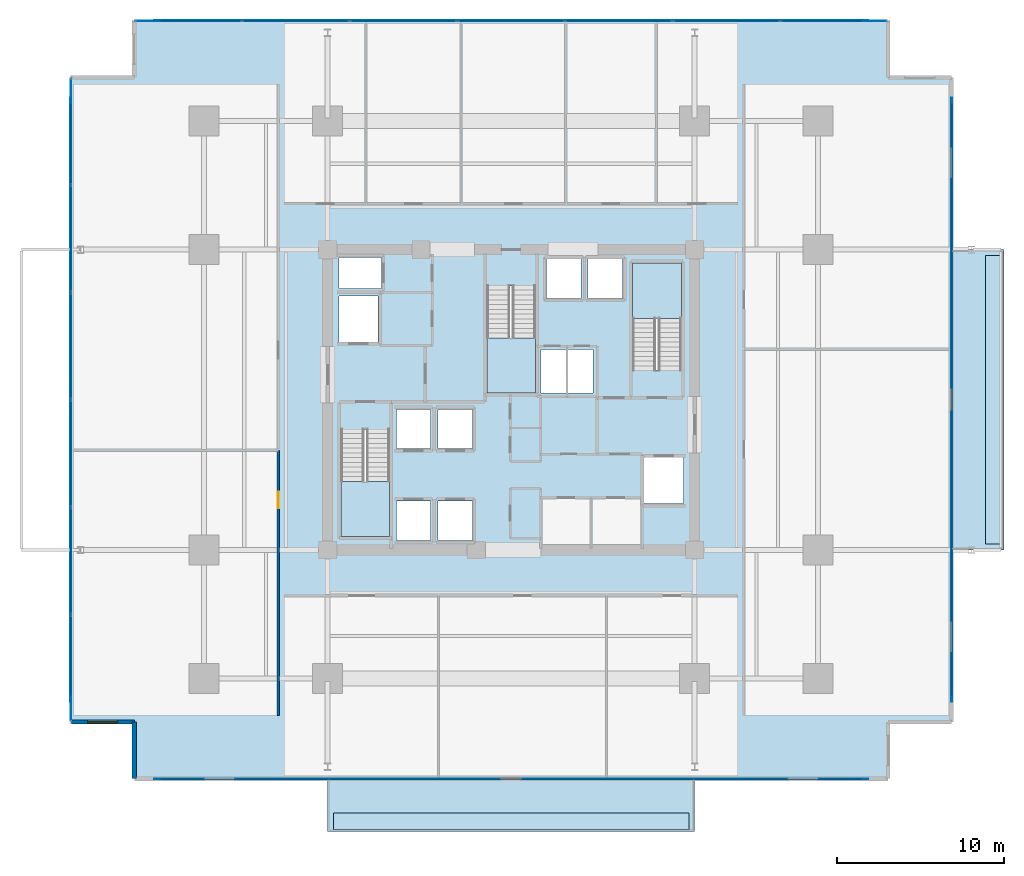
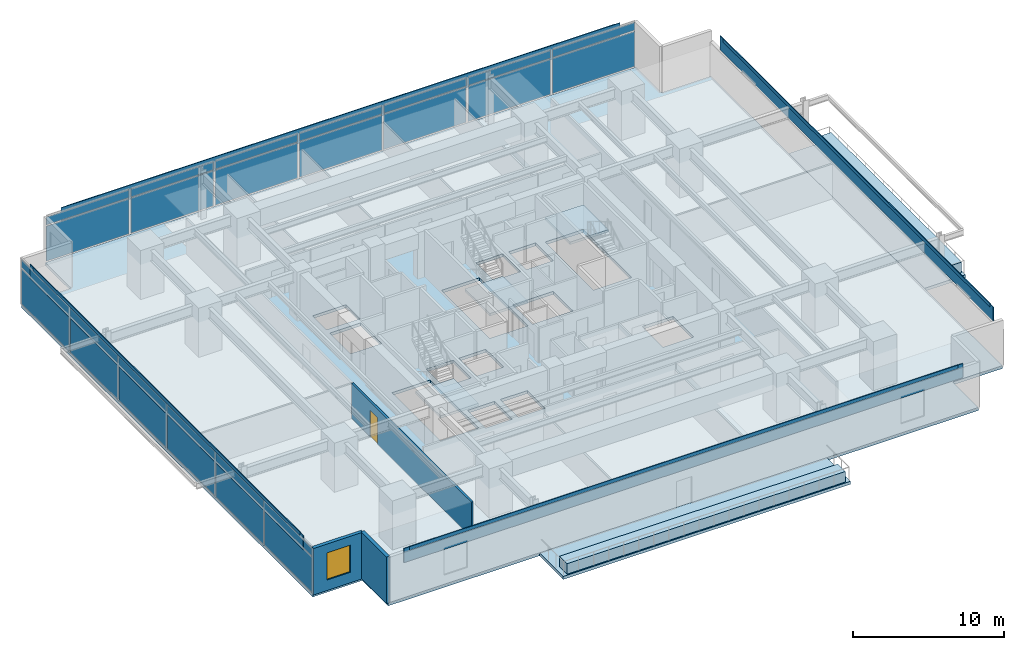
# One storey, part 15 of 24: 34 plates, 8 slabs, 3 walls, 1 door, 1 window, 2 openings, 5 elements without a shape of their own.
"""IFC4 building model written with IfcOpenShell, lengths in metres."""

from ifc_helpers import new_model, si_unit, direction, frame, frame_2d, origin, origin_2d, place, context, subcontext, project, spatial, polyline, rectangle, outline, extrude, material, layer, layer_set, type_object, element, fill, aggregate, save


model = new_model("IFC4")

# Units and contexts
model_context = context("Model", 3, precision=1e-05, world=origin(), true_north=direction((0.0, 1.0)))
body_context = subcontext(model_context, "Body", "Model", "MODEL_VIEW")
ifc_project = project(units=[si_unit("LENGTHUNIT", "METRE"), si_unit("AREAUNIT", "SQUARE_METRE"), si_unit("VOLUMEUNIT", "CUBIC_METRE"), si_unit("PLANEANGLEUNIT", "RADIAN"), si_unit("MASSUNIT", "GRAM", prefix="KILO")], contexts=[model_context])

# Site, building, storey
site_placement = place(None, origin())
site = spatial("IfcSite", under=ifc_project, at=site_placement, CompositionType="ELEMENT")
building_placement = place(site_placement, origin())
building = spatial("IfcBuilding", under=site, at=building_placement, Name="Kovane Verandah Tower", CompositionType="ELEMENT")
storey_placement = place(building_placement, frame((0.0, 0.0, 95.60009765625)))
storey = spatial("IfcBuildingStorey", under=building, at=storey_placement, Name="L22", CompositionType="ELEMENT", Elevation=95.60009765625)

# Curtain wall, plates
ifc_material_1 = material(Name="Champagne Anodised Aluminium Frame with Low-E Clear Laminated Glass", Category="aluminium")
curtain_wall_type = type_object("IfcCurtainWallType", Name="CW-SYS-02-LOW", PredefinedType="NOTDEFINED", material=ifc_material_1)
curtain_wall_1_placement = place(storey_placement, origin())
curtain_wall_1 = element("IfcCurtainWall", 1, at=curtain_wall_1_placement, inside=storey, type_object=curtain_wall_type, Name="L22 N Unitised Curtain Wall", PredefinedType="NOTDEFINED")
ifc_material_2 = material(Name="Pale Champagne Anodised Aluminium Insulated Spandrel", Category="aluminium")
ifc_layer_1 = layer(ifc_material_2, 0.0400390625)
ifc_layer_set_1 = layer_set([ifc_layer_1], Name="Pale Champagne Anodised Aluminium Insulated Spandrel")
plate_type_1 = type_object("IfcPlateType", Name="PL-CW-SPD-40", PredefinedType="SHEET", material=ifc_layer_set_1)
plate_1_placement = place(storey_placement, frame((59.3603515625, 50.2109375, 3.02978515625), z_axis=(0.0, 0.0, 1.0), x_axis=(-1.0, 0.0, 0.0)))
plate_1 = element("IfcPlate", 2, at=plate_1_placement, type_object=plate_type_1, Name="L22 N Unitised Curtain Wall Spandrel Panel 1", PredefinedType="SHEET", context=body_context, shape_type="SweptSolid", body=[
    extrude(rectangle(XDim=6.3134765625, YDim=0.0400390625, at=origin_2d()), origin(), (0.0, 0.0, 1.0), 0.639892578125),
])
plate_2_placement = place(storey_placement, frame((52.906982421875, 50.2109375, 3.02978515625), z_axis=(0.0, 0.0, 1.0), x_axis=(-1.0, 0.0, 0.0)))
plate_2 = element("IfcPlate", 3, at=plate_2_placement, type_object=plate_type_1, Name="L22 N Unitised Curtain Wall Spandrel Panel 2", PredefinedType="SHEET", context=body_context, shape_type="SweptSolid", body=[
    extrude(rectangle(XDim=6.3134765625, YDim=0.0400390625, at=origin_2d()), origin(), (0.0, 0.0, 1.0), 0.639892578125),
])
plate_3_placement = place(storey_placement, frame((46.453369140625, 50.2109375, 3.02978515625), z_axis=(0.0, 0.0, 1.0), x_axis=(-1.0, 0.0, 0.0)))
plate_3 = element("IfcPlate", 4, at=plate_3_placement, type_object=plate_type_1, Name="L22 N Unitised Curtain Wall Spandrel Panel 3", PredefinedType="SHEET", context=body_context, shape_type="SweptSolid", body=[
    extrude(rectangle(XDim=6.3134765625, YDim=0.0400390625, at=origin_2d()), origin(), (0.0, 0.0, 1.0), 0.639892578125),
])
plate_4_placement = place(storey_placement, frame((40.0, 50.2109375, 3.02978515625), z_axis=(0.0, 0.0, 1.0), x_axis=(-1.0, 0.0, 0.0)))
plate_4 = element("IfcPlate", 5, at=plate_4_placement, type_object=plate_type_1, Name="L22 N Unitised Curtain Wall Spandrel Panel 4", PredefinedType="SHEET", context=body_context, shape_type="SweptSolid", body=[
    extrude(rectangle(XDim=6.3134765625, YDim=0.0400390625, at=origin_2d()), origin(), (0.0, 0.0, 1.0), 0.639892578125),
])
plate_5_placement = place(storey_placement, frame((33.546630859375, 50.2109375, 3.02978515625), z_axis=(0.0, 0.0, 1.0), x_axis=(-1.0, 0.0, 0.0)))
plate_5 = element("IfcPlate", 6, at=plate_5_placement, type_object=plate_type_1, Name="L22 N Unitised Curtain Wall Spandrel Panel 5", PredefinedType="SHEET", context=body_context, shape_type="SweptSolid", body=[
    extrude(rectangle(XDim=6.3134765625, YDim=0.0400390625, at=origin_2d()), origin(), (0.0, 0.0, 1.0), 0.639892578125),
])
plate_6_placement = place(storey_placement, frame((27.093017578125, 50.2109375, 3.02978515625), z_axis=(0.0, 0.0, 1.0), x_axis=(-1.0, 0.0, 0.0)))
plate_6 = element("IfcPlate", 7, at=plate_6_placement, type_object=plate_type_1, Name="L22 N Unitised Curtain Wall Spandrel Panel 6", PredefinedType="SHEET", context=body_context, shape_type="SweptSolid", body=[
    extrude(rectangle(XDim=6.3134765625, YDim=0.0400390625, at=origin_2d()), origin(), (0.0, 0.0, 1.0), 0.639892578125),
])
plate_7_placement = place(storey_placement, frame((20.6396484375, 50.2109375, 3.02978515625), z_axis=(0.0, 0.0, 1.0), x_axis=(-1.0, 0.0, 0.0)))
plate_7 = element("IfcPlate", 8, at=plate_7_placement, type_object=plate_type_1, Name="L22 N Unitised Curtain Wall Spandrel Panel 7", PredefinedType="SHEET", context=body_context, shape_type="SweptSolid", body=[
    extrude(rectangle(XDim=6.3134765625, YDim=0.0400390625, at=origin_2d()), origin(), (0.0, 0.0, 1.0), 0.639892578125),
])

curtain_wall_2_placement = place(storey_placement, origin())
curtain_wall_2 = element("IfcCurtainWall", 9, at=curtain_wall_2_placement, inside=storey, type_object=curtain_wall_type, Name="L22 W Unitised Curtain Wall", PredefinedType="NOTDEFINED")
plate_8_placement = place(storey_placement, frame((13.613037109375, 43.59228515625, 3.02978515625), z_axis=(0.0, 0.0, 1.0), x_axis=(0.0, -1.0, 0.0)))
plate_8 = element("IfcPlate", 10, at=plate_8_placement, type_object=plate_type_1, Name="L22 W Unitised Curtain Wall Spandrel Panel 1", PredefinedType="SHEET", context=body_context, shape_type="SweptSolid", body=[
    extrude(rectangle(XDim=6.297119140625, YDim=0.0400390625, at=origin_2d()), origin(), (0.0, 0.0, 1.0), 0.639892578125),
])
plate_9_placement = place(storey_placement, frame((13.613037109375, 37.155517578125, 3.02978515625), z_axis=(0.0, 0.0, 1.0), x_axis=(0.0, -1.0, 0.0)))
plate_9 = element("IfcPlate", 11, at=plate_9_placement, type_object=plate_type_1, Name="L22 W Unitised Curtain Wall Spandrel Panel 2", PredefinedType="SHEET", context=body_context, shape_type="SweptSolid", body=[
    extrude(rectangle(XDim=6.297119140625, YDim=0.0400390625, at=origin_2d()), origin(), (0.0, 0.0, 1.0), 0.639892578125),
])
plate_10_placement = place(storey_placement, frame((13.613037109375, 30.718505859375, 3.02978515625), z_axis=(0.0, 0.0, 1.0), x_axis=(0.0, -1.0, 0.0)))
plate_10 = element("IfcPlate", 12, at=plate_10_placement, type_object=plate_type_1, Name="L22 W Unitised Curtain Wall Spandrel Panel 3", PredefinedType="SHEET", context=body_context, shape_type="SweptSolid", body=[
    extrude(rectangle(XDim=6.297119140625, YDim=0.0400390625, at=origin_2d()), origin(), (0.0, 0.0, 1.0), 0.639892578125),
])
plate_11_placement = place(storey_placement, frame((13.613037109375, 24.281494140625, 3.02978515625), z_axis=(0.0, 0.0, 1.0), x_axis=(0.0, -1.0, 0.0)))
plate_11 = element("IfcPlate", 13, at=plate_11_placement, type_object=plate_type_1, Name="L22 W Unitised Curtain Wall Spandrel Panel 4", PredefinedType="SHEET", context=body_context, shape_type="SweptSolid", body=[
    extrude(rectangle(XDim=6.297119140625, YDim=0.0400390625, at=origin_2d()), origin(), (0.0, 0.0, 1.0), 0.639892578125),
])
plate_12_placement = place(storey_placement, frame((13.613037109375, 17.844482421875, 3.02978515625), z_axis=(0.0, 0.0, 1.0), x_axis=(0.0, -1.0, 0.0)))
plate_12 = element("IfcPlate", 14, at=plate_12_placement, type_object=plate_type_1, Name="L22 W Unitised Curtain Wall Spandrel Panel 5", PredefinedType="SHEET", context=body_context, shape_type="SweptSolid", body=[
    extrude(rectangle(XDim=6.297119140625, YDim=0.0400390625, at=origin_2d()), origin(), (0.0, 0.0, 1.0), 0.639892578125),
])
plate_13_placement = place(storey_placement, frame((13.613037109375, 11.40771484375, 3.02978515625), z_axis=(0.0, 0.0, 1.0), x_axis=(0.0, -1.0, 0.0)))
plate_13 = element("IfcPlate", 15, at=plate_13_placement, type_object=plate_type_1, Name="L22 W Unitised Curtain Wall Spandrel Panel 6", PredefinedType="SHEET", context=body_context, shape_type="SweptSolid", body=[
    extrude(rectangle(XDim=6.297119140625, YDim=0.0400390625, at=origin_2d()), origin(), (0.0, 0.0, 1.0), 0.639892578125),
])

# Plate
ifc_material_3 = material(Name="Clear Low-E Laminated Double Glazing", Category="glass")
ifc_layer_2 = layer(ifc_material_3, 0.031982421875)
ifc_layer_set_2 = layer_set([ifc_layer_2], Name="Clear Low-E Laminated Double Glazing")
plate_type_2 = type_object("IfcPlateType", Name="PL-CW-VIS-32", PredefinedType="CURTAIN_PANEL", material=ifc_layer_set_2)
plate_14_placement = place(storey_placement, frame((59.3603515625, 50.2109375, 0.099853515625), z_axis=(0.0, 0.0, 1.0), x_axis=(-1.0, 0.0, 0.0)))
plate_14 = element("IfcPlate", 16, at=plate_14_placement, type_object=plate_type_2, Name="L22 N Unitised Curtain Wall Vision Panel 1", PredefinedType="CURTAIN_PANEL", context=body_context, shape_type="SweptSolid", body=[
    extrude(rectangle(XDim=6.3134765625, YDim=0.031982421875, at=origin_2d()), origin(), (0.0, 0.0, 1.0), 2.830078125),
])

plate_15_placement = place(storey_placement, frame((52.906982421875, 50.2109375, 0.099853515625), z_axis=(0.0, 0.0, 1.0), x_axis=(-1.0, 0.0, 0.0)))
plate_15 = element("IfcPlate", 17, at=plate_15_placement, type_object=plate_type_2, Name="L22 N Unitised Curtain Wall Vision Panel 2", PredefinedType="CURTAIN_PANEL", context=body_context, shape_type="SweptSolid", body=[
    extrude(rectangle(XDim=6.3134765625, YDim=0.031982421875, at=origin_2d()), origin(), (0.0, 0.0, 1.0), 2.830078125),
])

plate_16_placement = place(storey_placement, frame((46.453369140625, 50.2109375, 0.099853515625), z_axis=(0.0, 0.0, 1.0), x_axis=(-1.0, 0.0, 0.0)))
plate_16 = element("IfcPlate", 18, at=plate_16_placement, type_object=plate_type_2, Name="L22 N Unitised Curtain Wall Vision Panel 3", PredefinedType="CURTAIN_PANEL", context=body_context, shape_type="SweptSolid", body=[
    extrude(rectangle(XDim=6.3134765625, YDim=0.031982421875, at=origin_2d()), origin(), (0.0, 0.0, 1.0), 2.830078125),
])

plate_17_placement = place(storey_placement, frame((40.0, 50.2109375, 0.099853515625), z_axis=(0.0, 0.0, 1.0), x_axis=(-1.0, 0.0, 0.0)))
plate_17 = element("IfcPlate", 19, at=plate_17_placement, type_object=plate_type_2, Name="L22 N Unitised Curtain Wall Vision Panel 4", PredefinedType="CURTAIN_PANEL", context=body_context, shape_type="SweptSolid", body=[
    extrude(rectangle(XDim=6.3134765625, YDim=0.031982421875, at=origin_2d()), origin(), (0.0, 0.0, 1.0), 2.830078125),
])

plate_18_placement = place(storey_placement, frame((33.546630859375, 50.2109375, 0.099853515625), z_axis=(0.0, 0.0, 1.0), x_axis=(-1.0, 0.0, 0.0)))
plate_18 = element("IfcPlate", 20, at=plate_18_placement, type_object=plate_type_2, Name="L22 N Unitised Curtain Wall Vision Panel 5", PredefinedType="CURTAIN_PANEL", context=body_context, shape_type="SweptSolid", body=[
    extrude(rectangle(XDim=6.3134765625, YDim=0.031982421875, at=origin_2d()), origin(), (0.0, 0.0, 1.0), 2.830078125),
])

plate_19_placement = place(storey_placement, frame((27.093017578125, 50.2109375, 0.099853515625), z_axis=(0.0, 0.0, 1.0), x_axis=(-1.0, 0.0, 0.0)))
plate_19 = element("IfcPlate", 21, at=plate_19_placement, type_object=plate_type_2, Name="L22 N Unitised Curtain Wall Vision Panel 6", PredefinedType="CURTAIN_PANEL", context=body_context, shape_type="SweptSolid", body=[
    extrude(rectangle(XDim=6.3134765625, YDim=0.031982421875, at=origin_2d()), origin(), (0.0, 0.0, 1.0), 2.830078125),
])

plate_20_placement = place(storey_placement, frame((20.6396484375, 50.2109375, 0.099853515625), z_axis=(0.0, 0.0, 1.0), x_axis=(-1.0, 0.0, 0.0)))
plate_20 = element("IfcPlate", 22, at=plate_20_placement, type_object=plate_type_2, Name="L22 N Unitised Curtain Wall Vision Panel 7", PredefinedType="CURTAIN_PANEL", context=body_context, shape_type="SweptSolid", body=[
    extrude(rectangle(XDim=6.3134765625, YDim=0.031982421875, at=origin_2d()), origin(), (0.0, 0.0, 1.0), 2.830078125),
])

aggregate(curtain_wall_1, [plate_14, plate_1, plate_15, plate_2, plate_16, plate_3, plate_17, plate_4, plate_18, plate_5, plate_19, plate_6, plate_20, plate_7])

plate_21_placement = place(storey_placement, frame((13.613037109375, 43.59228515625, 0.099853515625), z_axis=(0.0, 0.0, 1.0), x_axis=(0.0, -1.0, 0.0)))
plate_21 = element("IfcPlate", 23, at=plate_21_placement, type_object=plate_type_2, Name="L22 W Unitised Curtain Wall Vision Panel 1", PredefinedType="CURTAIN_PANEL", context=body_context, shape_type="SweptSolid", body=[
    extrude(rectangle(XDim=6.297119140625, YDim=0.031982421875, at=origin_2d()), origin(), (0.0, 0.0, 1.0), 2.830078125),
])

plate_22_placement = place(storey_placement, frame((13.613037109375, 37.155517578125, 0.099853515625), z_axis=(0.0, 0.0, 1.0), x_axis=(0.0, -1.0, 0.0)))
plate_22 = element("IfcPlate", 24, at=plate_22_placement, type_object=plate_type_2, Name="L22 W Unitised Curtain Wall Vision Panel 2", PredefinedType="CURTAIN_PANEL", context=body_context, shape_type="SweptSolid", body=[
    extrude(rectangle(XDim=6.297119140625, YDim=0.031982421875, at=origin_2d()), origin(), (0.0, 0.0, 1.0), 2.830078125),
])

plate_23_placement = place(storey_placement, frame((13.613037109375, 30.718505859375, 0.099853515625), z_axis=(0.0, 0.0, 1.0), x_axis=(0.0, -1.0, 0.0)))
plate_23 = element("IfcPlate", 25, at=plate_23_placement, type_object=plate_type_2, Name="L22 W Unitised Curtain Wall Vision Panel 3", PredefinedType="CURTAIN_PANEL", context=body_context, shape_type="SweptSolid", body=[
    extrude(rectangle(XDim=6.297119140625, YDim=0.031982421875, at=origin_2d()), origin(), (0.0, 0.0, 1.0), 2.830078125),
])

plate_24_placement = place(storey_placement, frame((13.613037109375, 24.281494140625, 0.099853515625), z_axis=(0.0, 0.0, 1.0), x_axis=(0.0, -1.0, 0.0)))
plate_24 = element("IfcPlate", 26, at=plate_24_placement, type_object=plate_type_2, Name="L22 W Unitised Curtain Wall Vision Panel 4", PredefinedType="CURTAIN_PANEL", context=body_context, shape_type="SweptSolid", body=[
    extrude(rectangle(XDim=6.297119140625, YDim=0.031982421875, at=origin_2d()), origin(), (0.0, 0.0, 1.0), 2.830078125),
])

plate_25_placement = place(storey_placement, frame((13.613037109375, 17.844482421875, 0.099853515625), z_axis=(0.0, 0.0, 1.0), x_axis=(0.0, -1.0, 0.0)))
plate_25 = element("IfcPlate", 27, at=plate_25_placement, type_object=plate_type_2, Name="L22 W Unitised Curtain Wall Vision Panel 5", PredefinedType="CURTAIN_PANEL", context=body_context, shape_type="SweptSolid", body=[
    extrude(rectangle(XDim=6.297119140625, YDim=0.031982421875, at=origin_2d()), origin(), (0.0, 0.0, 1.0), 2.830078125),
])

plate_26_placement = place(storey_placement, frame((13.613037109375, 11.40771484375, 0.099853515625), z_axis=(0.0, 0.0, 1.0), x_axis=(0.0, -1.0, 0.0)))
plate_26 = element("IfcPlate", 28, at=plate_26_placement, type_object=plate_type_2, Name="L22 W Unitised Curtain Wall Vision Panel 6", PredefinedType="CURTAIN_PANEL", context=body_context, shape_type="SweptSolid", body=[
    extrude(rectangle(XDim=6.297119140625, YDim=0.031982421875, at=origin_2d()), origin(), (0.0, 0.0, 1.0), 2.830078125),
])

aggregate(curtain_wall_2, [plate_21, plate_8, plate_22, plate_9, plate_23, plate_10, plate_24, plate_11, plate_25, plate_12, plate_26, plate_13])

# Plates
ifc_material_4 = material(Name="Perforated Pale Champagne Anodised Aluminium Solar Screen", Category="aluminium")
ifc_layer_3 = layer(ifc_material_4, 0.050048828125)
ifc_layer_set_3 = layer_set([ifc_layer_3], Name="Perforated Pale Champagne Anodised Aluminium Solar Screen")
plate_type_3 = type_object("IfcPlateType", Name="PL-SCREEN-50", PredefinedType="USERDEFINED", material=ifc_layer_set_3)
plate_27_placement = place(storey_placement, frame((40.0, 4.774169921875, 2.85986328125), z_axis=(0.0, 0.0, 1.0), x_axis=(1.0, 0.0, 0.0)))
element("IfcPlate", 29, at=plate_27_placement, inside=storey, type_object=plate_type_3, Name="L22 S Perforated Champagne-Gold Solar Screen", ObjectType="SCREEN", PredefinedType="USERDEFINED", context=body_context, shape_type="SweptSolid", body=[
    extrude(rectangle(XDim=42.77392578125, YDim=0.050048828125, at=origin_2d()), origin(), (0.0, 0.0, 1.0), 1.14990234375),
])
plate_28_placement = place(storey_placement, frame((66.402099609375, 27.5, 2.85986328125), z_axis=(0.0, 0.0, 1.0), x_axis=(0.0, 1.0, 0.0)))
element("IfcPlate", 30, at=plate_28_placement, inside=storey, type_object=plate_type_3, Name="L22 E Perforated Champagne-Gold Solar Screen", ObjectType="SCREEN", PredefinedType="USERDEFINED", context=body_context, shape_type="SweptSolid", body=[
    extrude(rectangle(XDim=36.221923828125, YDim=0.050048828125, at=origin_2d()), origin(), (0.0, 0.0, 1.0), 1.14990234375),
])
plate_29_placement = place(storey_placement, frame((40.0, 50.225830078125, 2.85986328125), z_axis=(0.0, 0.0, 1.0), x_axis=(-1.0, 0.0, 0.0)))
element("IfcPlate", 31, at=plate_29_placement, inside=storey, type_object=plate_type_3, Name="L22 N Perforated Champagne-Gold Solar Screen", ObjectType="SCREEN", PredefinedType="USERDEFINED", context=body_context, shape_type="SweptSolid", body=[
    extrude(rectangle(XDim=42.77392578125, YDim=0.050048828125, at=origin_2d()), origin(), (0.0, 0.0, 1.0), 1.14990234375),
])
plate_30_placement = place(storey_placement, frame((13.597900390625, 27.5, 2.85986328125), z_axis=(0.0, 0.0, 1.0), x_axis=(0.0, -1.0, 0.0)))
element("IfcPlate", 32, at=plate_30_placement, inside=storey, type_object=plate_type_3, Name="L22 W Perforated Champagne-Gold Solar Screen", ObjectType="SCREEN", PredefinedType="USERDEFINED", context=body_context, shape_type="SweptSolid", body=[
    extrude(rectangle(XDim=36.221923828125, YDim=0.050048828125, at=origin_2d()), origin(), (0.0, 0.0, 1.0), 1.14990234375),
])
ifc_material_5 = material(Name="Extruded Pale-Bronze Aluminium Aerofoil Sunshade", Category="aluminium")
ifc_layer_4 = layer(ifc_material_5, 0.06005859375)
ifc_layer_set_4 = layer_set([ifc_layer_4], Name="Extruded Pale-Bronze Aluminium Aerofoil Sunshade")
plate_type_4 = type_object("IfcPlateType", Name="PL-SUNSHADE-60", PredefinedType="USERDEFINED", material=ifc_layer_set_4)
plate_31_placement = place(storey_placement, frame((40.0, 4.76904296875, 3.73974609375), z_axis=(0.0, 0.0, 1.0), x_axis=(1.0, 0.0, 0.0)))
element("IfcPlate", 33, at=plate_31_placement, inside=storey, type_object=plate_type_4, Name="L22 S Subtropical Aerofoil Sunshade", ObjectType="SUNSHADE", PredefinedType="USERDEFINED", context=body_context, shape_type="SweptSolid", body=[
    extrude(rectangle(XDim=41.97412109375, YDim=0.06005859375, at=origin_2d()), origin(), (0.0, 0.0, 1.0), 0.280029296875),
])
plate_32_placement = place(storey_placement, frame((66.406982421875, 27.5, 3.73974609375), z_axis=(0.0, 0.0, 1.0), x_axis=(0.0, 1.0, 0.0)))
element("IfcPlate", 34, at=plate_32_placement, inside=storey, type_object=plate_type_4, Name="L22 E Subtropical Aerofoil Sunshade", ObjectType="SUNSHADE", PredefinedType="USERDEFINED", context=body_context, shape_type="SweptSolid", body=[
    extrude(rectangle(XDim=35.422119140625, YDim=0.06005859375, at=origin_2d()), origin(), (0.0, 0.0, 1.0), 0.280029296875),
])
plate_33_placement = place(storey_placement, frame((40.0, 50.23095703125, 3.73974609375), z_axis=(0.0, 0.0, 1.0), x_axis=(-1.0, 0.0, 0.0)))
element("IfcPlate", 35, at=plate_33_placement, inside=storey, type_object=plate_type_4, Name="L22 N Subtropical Aerofoil Sunshade", ObjectType="SUNSHADE", PredefinedType="USERDEFINED", context=body_context, shape_type="SweptSolid", body=[
    extrude(rectangle(XDim=41.97412109375, YDim=0.06005859375, at=origin_2d()), origin(), (0.0, 0.0, 1.0), 0.280029296875),
])
plate_34_placement = place(storey_placement, frame((13.593017578125, 27.5, 3.73974609375), z_axis=(0.0, 0.0, 1.0), x_axis=(0.0, -1.0, 0.0)))
element("IfcPlate", 36, at=plate_34_placement, inside=storey, type_object=plate_type_4, Name="L22 W Subtropical Aerofoil Sunshade", ObjectType="SUNSHADE", PredefinedType="USERDEFINED", context=body_context, shape_type="SweptSolid", body=[
    extrude(rectangle(XDim=35.422119140625, YDim=0.06005859375, at=origin_2d()), origin(), (0.0, 0.0, 1.0), 0.280029296875),
])

# Slabs
ifc_material_6 = material(Name="Concrete C45/55", Category="concrete")
ifc_layer_5 = layer(ifc_material_6, 0.239990234375)
ifc_layer_set_5 = layer_set([ifc_layer_5], Name="Concrete C45/55")
slab_type_1 = type_object("IfcSlabType", Name="SL-BALC-240", PredefinedType="FLOOR", material=ifc_layer_set_5)
slab_1_placement = place(storey_placement, frame((0.0, 0.0, -0.239990234375)))
element("IfcSlab", 37, at=slab_1_placement, inside=storey, type_object=slab_type_1, Name="L22 S Planted Verandah Balcony Slab", PredefinedType="FLOOR", context=body_context, shape_type="SweptSolid", body=[
    extrude(outline(polyline([(29.0, 1.63916015625), (51.0, 1.63916015625), (51.0, 4.7890625), (29.0, 4.7890625), (29.0, 1.63916015625)])), origin(), (0.0, 0.0, 1.0), 0.239990234375),
])
slab_2_placement = place(storey_placement, frame((0.0, 0.0, -0.239990234375)))
element("IfcSlab", 38, at=slab_2_placement, inside=storey, type_object=slab_type_1, Name="L22 E Planted Verandah Balcony Slab", PredefinedType="FLOOR", context=body_context, shape_type="SweptSolid", body=[
    extrude(outline(polyline([(66.386962890625, 18.5), (69.537109375, 18.5), (69.537109375, 36.5), (66.386962890625, 36.5), (66.386962890625, 18.5)])), origin(), (0.0, 0.0, 1.0), 0.239990234375),
])

# Stair, slab
stair_type = type_object("IfcStairType", Name="ST-CORE-1380", PredefinedType="HALF_TURN_STAIR", material=ifc_material_6)
stair_1_placement = place(storey_placement, origin())
stair_1 = element("IfcStair", 39, at=stair_1_placement, inside=storey, type_object=stair_type, Name="L22 Exit Stair ST-01", PredefinedType="HALF_TURN_STAIR")
ifc_layer_6 = layer(ifc_material_6, 0.199951171875)
ifc_layer_set_6 = layer_set([ifc_layer_6], Name="Concrete C45/55")
slab_type_2 = type_object("IfcSlabType", Name="SL-LAND-200", PredefinedType="LANDING", material=ifc_layer_set_6)
slab_3_placement = place(storey_placement, frame((0.0, 0.0, 1.7998046875)))
slab_3 = element("IfcSlab", 40, at=slab_3_placement, type_object=slab_type_2, Name="ST-01 landing 1", PredefinedType="LANDING", context=body_context, shape_type="SweptSolid", body=[
    extrude(outline(polyline([(29.800048828125, 22.614990234375), (29.800048828125, 19.300048828125), (32.719970703125, 19.300048828125), (32.719970703125, 22.614990234375), (29.800048828125, 22.614990234375)])), origin(), (0.0, 0.0, 1.0), 0.2001953125),
])
aggregate(stair_1, [slab_3])

stair_2_placement = place(storey_placement, origin())
stair_2 = element("IfcStair", 41, at=stair_2_placement, inside=storey, type_object=stair_type, Name="L22 Exit Stair ST-02", PredefinedType="HALF_TURN_STAIR")
slab_4_placement = place(storey_placement, frame((0.0, 0.0, 1.7998046875)))
slab_4 = element("IfcSlab", 42, at=slab_4_placement, type_object=slab_type_2, Name="ST-02 landing 1", PredefinedType="LANDING", context=body_context, shape_type="SweptSolid", body=[
    extrude(outline(polyline([(50.199951171875, 32.385009765625), (50.199951171875, 35.699951171875), (47.280029296875, 35.699951171875), (47.280029296875, 32.385009765625), (50.199951171875, 32.385009765625)])), origin(), (0.0, 0.0, 1.0), 0.2001953125),
])
aggregate(stair_2, [slab_4])

stair_3_placement = place(storey_placement, origin())
stair_3 = element("IfcStair", 43, at=stair_3_placement, inside=storey, type_object=stair_type, Name="L22 Exit Stair ST-03", PredefinedType="HALF_TURN_STAIR")
slab_5_placement = place(storey_placement, frame((0.0, 0.0, 1.7998046875)))
slab_5 = element("IfcSlab", 44, at=slab_5_placement, type_object=slab_type_2, Name="ST-03 landing 1", PredefinedType="LANDING", context=body_context, shape_type="SweptSolid", body=[
    extrude(outline(polyline([(38.5400390625, 31.215087890625), (38.5400390625, 27.89990234375), (41.4599609375, 27.89990234375), (41.4599609375, 31.215087890625), (38.5400390625, 31.215087890625)])), origin(), (0.0, 0.0, 1.0), 0.2001953125),
])
aggregate(stair_3, [slab_5])

# Slabs
ifc_material_7 = material(Name="Architectural Precast Concrete C45/55 Planter Trough", Category="concrete")
ifc_layer_7 = layer(ifc_material_7, 0.219970703125)
ifc_layer_set_7 = layer_set([ifc_layer_7], Name="Architectural Precast Concrete C45/55 Planter Trough")
slab_type_3 = type_object("IfcSlabType", Name="SL-PLANTER-220", PredefinedType="USERDEFINED", material=ifc_layer_set_7)
slab_6_placement = place(storey_placement, origin())
element("IfcSlab", 45, at=slab_6_placement, inside=storey, type_object=slab_type_3, Name="L22 S Structural Tree Planter", ObjectType="PLANTER", PredefinedType="USERDEFINED", context=body_context, shape_type="SweptSolid", body=[
    extrude(outline(polyline([(29.35009765625, 1.739013671875), (50.64990234375, 1.739013671875), (50.64990234375, 2.739013671875), (29.35009765625, 2.739013671875), (29.35009765625, 1.739013671875)])), origin(), (0.0, 0.0, 1.0), 0.849853515625),
])
slab_7_placement = place(storey_placement, origin())
element("IfcSlab", 46, at=slab_7_placement, inside=storey, type_object=slab_type_3, Name="L22 E Structural Tree Planter", ObjectType="PLANTER", PredefinedType="USERDEFINED", context=body_context, shape_type="SweptSolid", body=[
    extrude(outline(polyline([(68.43701171875, 18.85009765625), (69.43701171875, 18.85009765625), (69.43701171875, 36.14990234375), (68.43701171875, 36.14990234375), (68.43701171875, 18.85009765625)])), origin(), (0.0, 0.0, 1.0), 0.849853515625),
])
ifc_layer_8 = layer(ifc_material_6, 0.239990234375)
ifc_layer_set_8 = layer_set([ifc_layer_8], Name="Concrete C45/55")
slab_type_4 = type_object("IfcSlabType", Name="SL-TYP-240", PredefinedType="FLOOR", material=ifc_layer_set_8)
slab_8_placement = place(storey_placement, frame((0.0, 0.0, -0.239990234375)))
element("IfcSlab", 47, at=slab_8_placement, inside=storey, type_object=slab_type_4, Name="L22 Structural Floor Slab", PredefinedType="FLOOR", context=body_context, shape_type="SweptSolid", body=[
    extrude(outline(polyline([(17.4130859375, 4.7890625), (62.5869140625, 4.7890625), (62.5869140625, 8.189208984375), (66.386962890625, 8.189208984375), (66.386962890625, 46.810791015625), (62.5869140625, 46.810791015625), (62.5869140625, 50.2109375), (17.4130859375, 50.2109375), (17.4130859375, 46.810791015625), (13.613037109375, 46.810791015625), (13.613037109375, 8.189208984375), (17.4130859375, 8.189208984375), (17.4130859375, 4.7890625)]), holes=[polyline([(29.800048828125, 19.300048828125), (32.719970703125, 19.300048828125), (32.719970703125, 25.705078125), (29.800048828125, 25.705078125), (29.800048828125, 19.300048828125)]), polyline([(47.280029296875, 29.294921875), (50.199951171875, 29.294921875), (50.199951171875, 35.699951171875), (47.280029296875, 35.699951171875), (47.280029296875, 29.294921875)]), polyline([(38.5400390625, 27.89990234375), (41.4599609375, 27.89990234375), (41.4599609375, 34.304931640625), (38.5400390625, 34.304931640625), (38.5400390625, 27.89990234375)]), polyline([(29.669921875, 30.969970703125), (32.030029296875, 30.969970703125), (32.030029296875, 33.72998046875), (29.669921875, 33.72998046875), (29.669921875, 30.969970703125)]), polyline([(47.969970703125, 21.27001953125), (50.330078125, 21.27001953125), (50.330078125, 24.030029296875), (47.969970703125, 24.030029296875), (47.969970703125, 21.27001953125)]), polyline([(29.669921875, 34.169921875), (32.22998046875, 34.169921875), (32.22998046875, 36.030029296875), (29.669921875, 36.030029296875), (29.669921875, 34.169921875)]), polyline([(33.1201171875, 19.070068359375), (35.179931640625, 19.070068359375), (35.179931640625, 21.429931640625), (33.1201171875, 21.429931640625), (33.1201171875, 19.070068359375)]), polyline([(35.6201171875, 19.070068359375), (37.679931640625, 19.070068359375), (37.679931640625, 21.429931640625), (35.6201171875, 21.429931640625), (35.6201171875, 19.070068359375)]), polyline([(33.1201171875, 24.570068359375), (35.179931640625, 24.570068359375), (35.179931640625, 26.929931640625), (33.1201171875, 26.929931640625), (33.1201171875, 24.570068359375)]), polyline([(35.6201171875, 24.570068359375), (37.679931640625, 24.570068359375), (37.679931640625, 26.929931640625), (35.6201171875, 26.929931640625), (35.6201171875, 24.570068359375)]), polyline([(42.1201171875, 33.570068359375), (44.179931640625, 33.570068359375), (44.179931640625, 35.929931640625), (42.1201171875, 35.929931640625), (42.1201171875, 33.570068359375)]), polyline([(44.6201171875, 33.570068359375), (46.679931640625, 33.570068359375), (46.679931640625, 35.929931640625), (44.6201171875, 35.929931640625), (44.6201171875, 33.570068359375)]), polyline([(41.800048828125, 27.89990234375), (44.89990234375, 27.89990234375), (44.89990234375, 30.5), (41.800048828125, 30.5), (41.800048828125, 27.89990234375)])]), origin(), (0.0, 0.0, 1.0), 0.239990234375),
])

# Wall, opening, door
ifc_material_8 = material(Name="Fire-Rated Gypsum Stud Partition", Category="gypsum")
ifc_layer_9 = layer(ifc_material_8, 0.14990234375)
ifc_layer_set_9 = layer_set([ifc_layer_9], Name="Fire-Rated Gypsum Stud Partition")
wall_type_1 = type_object("IfcWallType", Name="WL-COR-150", PredefinedType="PARTITIONING", material=ifc_layer_set_9)
wall_1_placement = place(storey_placement, frame((26.050048828125, 8.589111328125, 0.0), z_axis=(0.0, 0.0, 1.0), x_axis=(0.0, 1.0, 0.0)))
wall_1 = element("IfcWall", 48, at=wall_1_placement, inside=storey, type_object=wall_type_1, Name="L22 Breakout Pantry W1 Corridor Partition", PredefinedType="PARTITIONING", context=body_context, shape_type="SweptSolid", body=[
    extrude(rectangle(XDim=15.88525390625, YDim=0.14990234375, at=frame_2d((7.942626953125, 0.0))), origin(), (0.0, 0.0, 1.0), 2.849853515625),
])
opening_1_placement = place(wall_1_placement, frame((12.4130859375, 0.0, 0.0)))
opening_1 = element("IfcOpeningElement", 49, at=opening_1_placement, cuts=wall_1, Name="Opening DR-L22-031", PredefinedType="OPENING", context=body_context, shape_type="SweptSolid", body=[
    extrude(rectangle(XDim=1.0, YDim=2.14990234375, at=frame_2d((0.5, 1.074951171875))), frame((0.0, 0.074951171875, 0.0), z_axis=(0.0, -1.0, 0.0), x_axis=(1.0, 0.0, 0.0)), (0.0, 0.0, 1.0), 0.14990234375),
])
ifc_material_9 = material(Name="FSC Spotted-Gum Timber Fire-Rated Office Door", Category="wood")
door_type = type_object("IfcDoorType", Name="DR-OFF-1000", OperationType="SINGLE_SWING_LEFT", PredefinedType="DOOR", material=ifc_material_9)
door_placement = place(opening_1_placement, origin())
door = element("IfcDoor", 50, at=door_placement, inside=storey, type_object=door_type, Name="L22 Breakout Pantry W1 Entrance Door", OperationType="SINGLE_SWING_RIGHT", OverallHeight=2.14990234375, OverallWidth=1.0, PredefinedType="DOOR", context=body_context, shape_type="SweptSolid", body=[
    extrude(rectangle(XDim=1.0, YDim=2.14990234375, at=frame_2d((0.5, 1.074951171875))), frame((0.0, 0.02490234375, 0.0), z_axis=(0.0, -1.0, 0.0), x_axis=(1.0, 0.0, 0.0)), (0.0, 0.0, 1.0), 0.050048828125),
])
fill(opening_1, door)

# Wall, opening, window
ifc_material_10 = material(Name="Concrete C45/55 Insulated Spandrel Wall", Category="concrete")
ifc_layer_10 = layer(ifc_material_10, 0.260009765625)
ifc_layer_set_10 = layer_set([ifc_layer_10], Name="Concrete C45/55 Insulated Spandrel Wall")
wall_type_2 = type_object("IfcWallType", Name="WL-SPANDREL-260", PredefinedType="PARAPET", material=ifc_layer_set_10)
wall_2_placement = place(storey_placement, frame((13.613037109375, 8.189208984375, 0.0), z_axis=(0.0, 0.0, 1.0), x_axis=(1.0, 0.0, 0.0)))
wall_2 = element("IfcWall", 51, at=wall_2_placement, inside=storey, type_object=wall_type_2, Name="L22 SW Notch Cheek Wall 1", PredefinedType="PARAPET", context=body_context, shape_type="SweptSolid", body=[
    extrude(rectangle(XDim=3.800048828125, YDim=0.260009765625, at=frame_2d((1.89990234375, 0.0))), origin(), (0.0, 0.0, 1.0), 3.760009765625),
])
opening_2_placement = place(wall_2_placement, frame((1.0, 0.0, 0.85009765625)))
opening_2 = element("IfcOpeningElement", 52, at=opening_2_placement, cuts=wall_2, Name="Opening W-03", PredefinedType="OPENING", context=body_context, shape_type="SweptSolid", body=[
    extrude(rectangle(XDim=1.800048828125, YDim=2.199951171875, at=frame_2d((0.89990234375, 1.10009765625))), frame((0.0, 0.1298828125, 0.0), z_axis=(0.0, -1.0, 0.0), x_axis=(1.0, 0.0, 0.0)), (0.0, 0.0, 1.0), 0.260009765625),
])
ifc_material_11 = material(Name="Clear Low-E Laminated Double Glazing in Anodised Frame", Category="glass")
window_type = type_object("IfcWindowType", Name="WN-NOTCH-1800x2200", PartitioningType="SINGLE_PANEL", PredefinedType="WINDOW", material=ifc_material_11)
window_placement = place(opening_2_placement, origin())
window = element("IfcWindow", 53, at=window_placement, inside=storey, type_object=window_type, Name="L22 SW Re-Entrant Corner Operable Window", OverallHeight=2.199951171875, OverallWidth=1.800048828125, PartitioningType="SINGLE_PANEL", PredefinedType="WINDOW", context=body_context, shape_type="SweptSolid", body=[
    extrude(rectangle(XDim=1.800048828125, YDim=2.199951171875, at=frame_2d((0.89990234375, 1.10009765625))), frame((0.0, 0.030029296875, 0.0), z_axis=(0.0, -1.0, 0.0), x_axis=(1.0, 0.0, 0.0)), (0.0, 0.0, 1.0), 0.06005859375),
])
fill(opening_2, window)

# Wall
wall_3_placement = place(storey_placement, frame((17.4130859375, 8.189208984375, 0.0), z_axis=(0.0, 0.0, 1.0), x_axis=(0.0, -1.0, 0.0)))
element("IfcWall", 54, at=wall_3_placement, inside=storey, type_object=wall_type_2, Name="L22 SW Notch Cheek Wall 2", PredefinedType="PARAPET", context=body_context, shape_type="SweptSolid", body=[
    extrude(rectangle(XDim=3.400146484375, YDim=0.260009765625, at=frame_2d((1.7001953125, 0.0))), origin(), (0.0, 0.0, 1.0), 3.760009765625),
])

save(model, "model.ifc")
